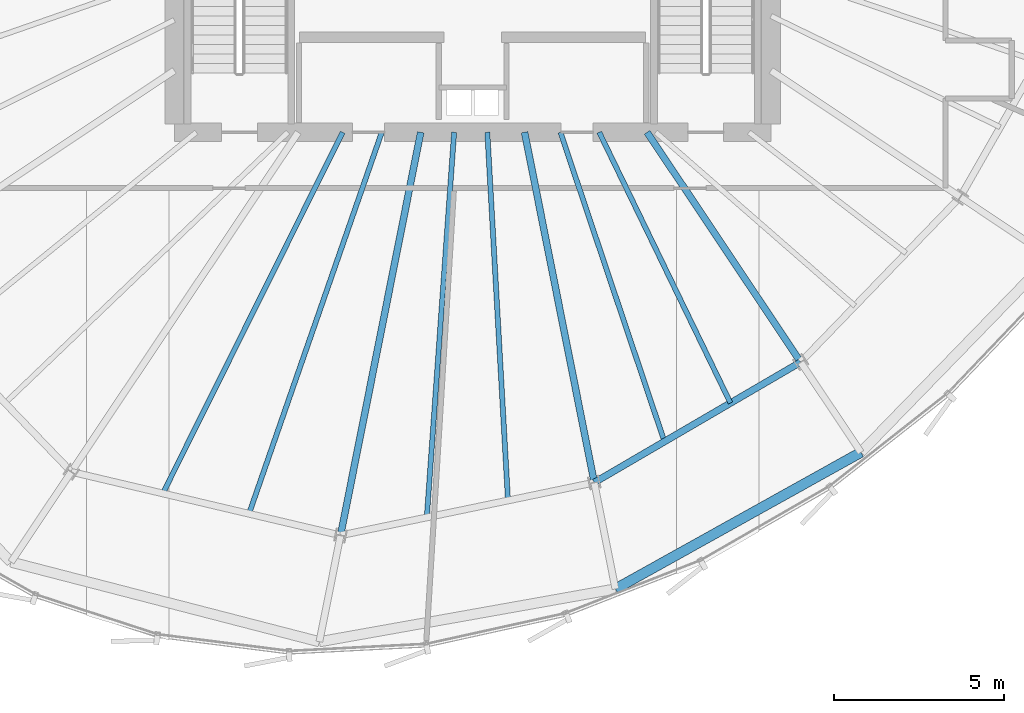
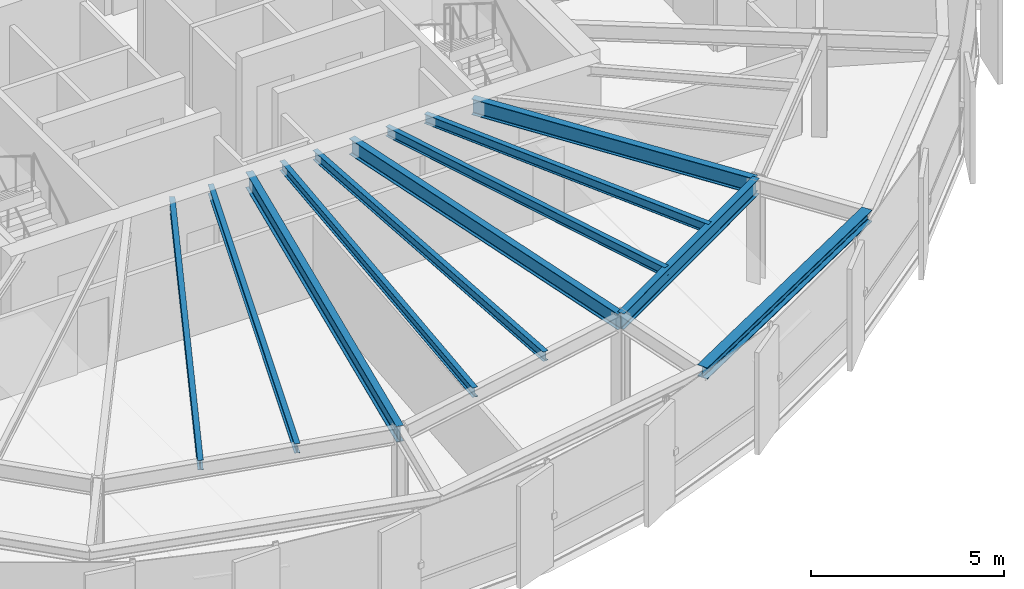
# One storey, part 7 of 35: 11 beams.
"""IFC4 building model written with IfcOpenShell, lengths in metres."""

from ifc_helpers import new_model, si_unit, direction, frame, origin, origin_2d, place, context, subcontext, project, spatial, i_section, extrude, source, transform, mapped, material, material_profile, profile_set, type_object, element, save


model = new_model("IFC4")

# Units and contexts
model_context = context("Model", 3, precision=1e-05, world=origin(), true_north=direction((0.0, 1.0)))
body_context = subcontext(model_context, "Body", "Model", "MODEL_VIEW")
ifc_project = project(units=[si_unit("LENGTHUNIT", "METRE"), si_unit("AREAUNIT", "SQUARE_METRE"), si_unit("VOLUMEUNIT", "CUBIC_METRE"), si_unit("PLANEANGLEUNIT", "RADIAN"), si_unit("MASSUNIT", "GRAM", prefix="KILO"), si_unit("THERMODYNAMICTEMPERATUREUNIT", "KELVIN")], contexts=[model_context])

# Site, building, storey
site_placement = place(None, origin())
site = spatial("IfcSite", under=ifc_project, at=site_placement, CompositionType="ELEMENT")
building_placement = place(site_placement, origin())
building = spatial("IfcBuilding", under=site, at=building_placement, Name="Kethvar Cultural Tower", CompositionType="ELEMENT")
storey_placement = place(building_placement, frame((0.0, 0.0, 204.39990234375)))
storey = spatial("IfcBuildingStorey", under=building, at=storey_placement, Name="L53", CompositionType="ELEMENT", Elevation=204.39990234375)

# Beams
ifc_material = material(Name="Steel S355J2", Category="steel")
ifc_material_profile_1 = material_profile(ifc_material, i_section(OverallWidth=0.199951171875, OverallDepth=0.5, WebThickness=0.01025390625, FlangeThickness=0.01611328125, FilletRadius=0.02099609375, at=origin_2d()), Name="Steel S355J2 — IPE500")
ifc_profile_set_1 = profile_set([ifc_material_profile_1], Name="Steel S355J2 — IPE500")
beam_type_1 = type_object("IfcBeamType", Name="BM-IPE500", PredefinedType="BEAM", material=ifc_profile_set_1)
shared_shape_1 = source(origin(), body_context, "Body", "SweptSolid", [
    extrude(i_section(OverallWidth=0.199951171875, OverallDepth=0.5, WebThickness=0.01025390625, FlangeThickness=0.01611328125, FilletRadius=0.02099609375, at=origin_2d()), origin(), (0.0, 0.0, 1.0), 12.1220703125),
])
beam_1_placement = place(storey_placement, frame((45.268310546875, 20.10009765625, 3.008056640625), z_axis=(-0.195078030057, -0.980787725346, 0.0), x_axis=(0.980787725346, -0.195078030057, 0.0)))
element("IfcBeam", 1, at=beam_1_placement, inside=storey, type_object=beam_type_1, Name="L53 Primary Radial Beam RB-12", PredefinedType="BEAM", context=body_context, shape_type="MappedRepresentation", body=[
    mapped(shared_shape_1, transform((0.0, 0.0, 0.0), scale=1.0)),
])
shared_shape_2 = source(origin(), body_context, "Body", "SweptSolid", [
    extrude(i_section(OverallWidth=0.199951171875, OverallDepth=0.5, WebThickness=0.01025390625, FlangeThickness=0.01611328125, FilletRadius=0.02099609375, at=origin_2d()), origin(), (0.0, 0.0, 1.0), 10.533935546875),
])
beam_2_placement = place(storey_placement, frame((48.33154296875, 20.10009765625, 3.008056640625), z_axis=(0.19509982917, -0.980783389265, 0.0), x_axis=(0.980783389265, 0.19509982917, 0.0)))
element("IfcBeam", 2, at=beam_2_placement, inside=storey, type_object=beam_type_1, Name="L53 Primary Radial Beam RB-13", PredefinedType="BEAM", context=body_context, shape_type="MappedRepresentation", body=[
    mapped(shared_shape_2, transform((0.0, 0.0, 0.0), scale=1.0)),
])
shared_shape_3 = source(origin(), body_context, "Body", "SweptSolid", [
    extrude(i_section(OverallWidth=0.199951171875, OverallDepth=0.5, WebThickness=0.01025390625, FlangeThickness=0.01611328125, FilletRadius=0.02099609375, at=origin_2d()), origin(), (0.0, 0.0, 1.0), 8.1533203125),
])
beam_3_placement = place(storey_placement, frame((51.945068359375, 20.10009765625, 3.008056640625), z_axis=(0.555549853936, -0.831483228809, 0.0), x_axis=(0.831483228809, 0.555549853936, 0.0)))
element("IfcBeam", 3, at=beam_3_placement, inside=storey, type_object=beam_type_1, Name="L53 Primary Radial Beam RB-14", PredefinedType="BEAM", context=body_context, shape_type="MappedRepresentation", body=[
    mapped(shared_shape_3, transform((0.0, 0.0, 0.0), scale=1.0)),
])
ifc_material_profile_2 = material_profile(ifc_material, i_section(OverallWidth=0.14990234375, OverallDepth=0.300048828125, WebThickness=0.007080078125, FlangeThickness=0.0107421875, FilletRadius=0.014892578125, at=origin_2d()), Name="Steel S355J2 — IPE300")
ifc_profile_set_2 = profile_set([ifc_material_profile_2], Name="Steel S355J2 — IPE300")
beam_type_2 = type_object("IfcBeamType", Name="BM-J300", PredefinedType="JOIST", material=ifc_profile_set_2)
shared_shape_4 = source(origin(), body_context, "Body", "SweptSolid", [
    extrude(i_section(OverallWidth=0.14990234375, OverallDepth=0.300048828125, WebThickness=0.007080078125, FlangeThickness=0.0107421875, FilletRadius=0.014892578125, at=origin_2d()), origin(), (0.0, 0.0, 1.0), 11.900146484375),
])
beam_4_placement = place(storey_placement, frame((42.96630859375, 20.10009765625, 3.108154296875), z_axis=(-0.445686564233, -0.89518907861, 0.0), x_axis=(0.89518907861, -0.445686564233, 0.0)))
element("IfcBeam", 4, at=beam_4_placement, inside=storey, type_object=beam_type_2, Name="L53 Composite Floor Joist J-11A", PredefinedType="JOIST", context=body_context, shape_type="MappedRepresentation", body=[
    mapped(shared_shape_4, transform((0.0, 0.0, 0.0), scale=1.0)),
])
shared_shape_5 = source(origin(), body_context, "Body", "SweptSolid", [
    extrude(i_section(OverallWidth=0.14990234375, OverallDepth=0.300048828125, WebThickness=0.007080078125, FlangeThickness=0.0107421875, FilletRadius=0.014892578125, at=origin_2d()), origin(), (0.0, 0.0, 1.0), 11.914306640625),
])
beam_5_placement = place(storey_placement, frame((44.1201171875, 20.10009765625, 3.108154296875), z_axis=(-0.328722490218, -0.944426558513, 0.0), x_axis=(0.944426558513, -0.328722490218, 0.0)))
element("IfcBeam", 5, at=beam_5_placement, inside=storey, type_object=beam_type_2, Name="L53 Composite Floor Joist J-11B", PredefinedType="JOIST", context=body_context, shape_type="MappedRepresentation", body=[
    mapped(shared_shape_5, transform((0.0, 0.0, 0.0), scale=1.0)),
])
shared_shape_6 = source(origin(), body_context, "Body", "SweptSolid", [
    extrude(i_section(OverallWidth=0.14990234375, OverallDepth=0.300048828125, WebThickness=0.007080078125, FlangeThickness=0.0107421875, FilletRadius=0.014892578125, at=origin_2d()), origin(), (0.0, 0.0, 1.0), 11.38818359375),
])
beam_6_placement = place(storey_placement, frame((46.253662109375, 20.10009765625, 3.108154296875), z_axis=(-0.070767133242, -0.99749286356, 0.0), x_axis=(0.99749286356, -0.070767133242, 0.0)))
element("IfcBeam", 6, at=beam_6_placement, inside=storey, type_object=beam_type_2, Name="L53 Composite Floor Joist J-12A", PredefinedType="JOIST", context=body_context, shape_type="MappedRepresentation", body=[
    mapped(shared_shape_6, transform((0.0, 0.0, 0.0), scale=1.0)),
])
shared_shape_7 = source(origin(), body_context, "Body", "SweptSolid", [
    extrude(i_section(OverallWidth=0.14990234375, OverallDepth=0.300048828125, WebThickness=0.007080078125, FlangeThickness=0.0107421875, FilletRadius=0.014892578125, at=origin_2d()), origin(), (0.0, 0.0, 1.0), 10.878173828125),
])
beam_7_placement = place(storey_placement, frame((47.232421875, 20.10009765625, 3.108154296875), z_axis=(0.056062922639, -0.998427237562, 0.0), x_axis=(0.998427237562, 0.056062922639, 0.0)))
element("IfcBeam", 7, at=beam_7_placement, inside=storey, type_object=beam_type_2, Name="L53 Composite Floor Joist J-12B", PredefinedType="JOIST", context=body_context, shape_type="MappedRepresentation", body=[
    mapped(shared_shape_7, transform((0.0, 0.0, 0.0), scale=1.0)),
])
shared_shape_8 = source(origin(), body_context, "Body", "SweptSolid", [
    extrude(i_section(OverallWidth=0.199951171875, OverallDepth=0.5, WebThickness=0.01025390625, FlangeThickness=0.01611328125, FilletRadius=0.02099609375, at=origin_2d()), origin(), (0.0, 0.0, 1.0), 7.048583984375),
])
beam_8_placement = place(storey_placement, frame((50.38671875, 9.7685546875, 3.008056640625), z_axis=(0.863718593305, 0.503974395757, 0.0), x_axis=(-0.503974395757, 0.863718593305, 0.0)))
element("IfcBeam", 8, at=beam_8_placement, inside=storey, type_object=beam_type_1, Name="L53 Column Ring Tie Beam CR-13", PredefinedType="BEAM", context=body_context, shape_type="MappedRepresentation", body=[
    mapped(shared_shape_8, transform((0.0, 0.0, 0.0), scale=1.0)),
])
ifc_material_profile_3 = material_profile(ifc_material, i_section(OverallWidth=0.300048828125, OverallDepth=0.360107421875, WebThickness=0.012451171875, FlangeThickness=0.0224609375, FilletRadius=0.027099609375, at=origin_2d()), Name="Steel S355J2 — HEB360")
ifc_profile_set_3 = profile_set([ifc_material_profile_3], Name="Steel S355J2 — HEB360")
beam_type_3 = type_object("IfcBeamType", Name="BM-SP360", PredefinedType="SPANDREL", material=ifc_profile_set_3)
shared_shape_9 = source(origin(), body_context, "Body", "SweptSolid", [
    extrude(i_section(OverallWidth=0.300048828125, OverallDepth=0.360107421875, WebThickness=0.012451171875, FlangeThickness=0.0224609375, FilletRadius=0.027099609375, at=origin_2d()), origin(), (0.0, 0.0, 1.0), 8.287353515625),
])
beam_9_placement = place(storey_placement, frame((51.010986328125, 6.630126953125, 3.078125), z_axis=(0.873798521244, 0.486288128862, 0.0), x_axis=(-0.486288128862, 0.873798521244, 0.0)))
element("IfcBeam", 9, at=beam_9_placement, inside=storey, type_object=beam_type_3, Name="L53 Perimeter Spandrel Beam SP-13", PredefinedType="SPANDREL", context=body_context, shape_type="MappedRepresentation", body=[
    mapped(shared_shape_9, transform((0.0, 0.0, 0.0), scale=1.0)),
])
shared_shape_10 = source(origin(), body_context, "Body", "SweptSolid", [
    extrude(i_section(OverallWidth=0.14990234375, OverallDepth=0.300048828125, WebThickness=0.007080078125, FlangeThickness=0.0107421875, FilletRadius=0.014892578125, at=origin_2d()), origin(), (0.0, 0.0, 1.0), 9.625732421875),
])
beam_10_placement = place(storey_placement, frame((49.388916015625, 20.10009765625, 3.108154296875), z_axis=(0.31869202774, -0.947858318239, 0.0), x_axis=(0.947858318239, 0.31869202774, 0.0)))
element("IfcBeam", 10, at=beam_10_placement, inside=storey, type_object=beam_type_2, Name="L53 Composite Floor Joist J-13A", PredefinedType="JOIST", context=body_context, shape_type="MappedRepresentation", body=[
    mapped(shared_shape_10, transform((0.0, 0.0, 0.0), scale=1.0)),
])
shared_shape_11 = source(origin(), body_context, "Body", "SweptSolid", [
    extrude(i_section(OverallWidth=0.14990234375, OverallDepth=0.300048828125, WebThickness=0.007080078125, FlangeThickness=0.0107421875, FilletRadius=0.014892578125, at=origin_2d()), origin(), (0.0, 0.0, 1.0), 8.8759765625),
])
beam_11_placement = place(storey_placement, frame((50.532958984375, 20.10009765625, 3.108154296875), z_axis=(0.436210743691, -0.899844534955, 0.0), x_axis=(0.899844534955, 0.436210743691, 0.0)))
element("IfcBeam", 11, at=beam_11_placement, inside=storey, type_object=beam_type_2, Name="L53 Composite Floor Joist J-13B", PredefinedType="JOIST", context=body_context, shape_type="MappedRepresentation", body=[
    mapped(shared_shape_11, transform((0.0, 0.0, 0.0), scale=1.0)),
])

save(model, "model.ifc")
